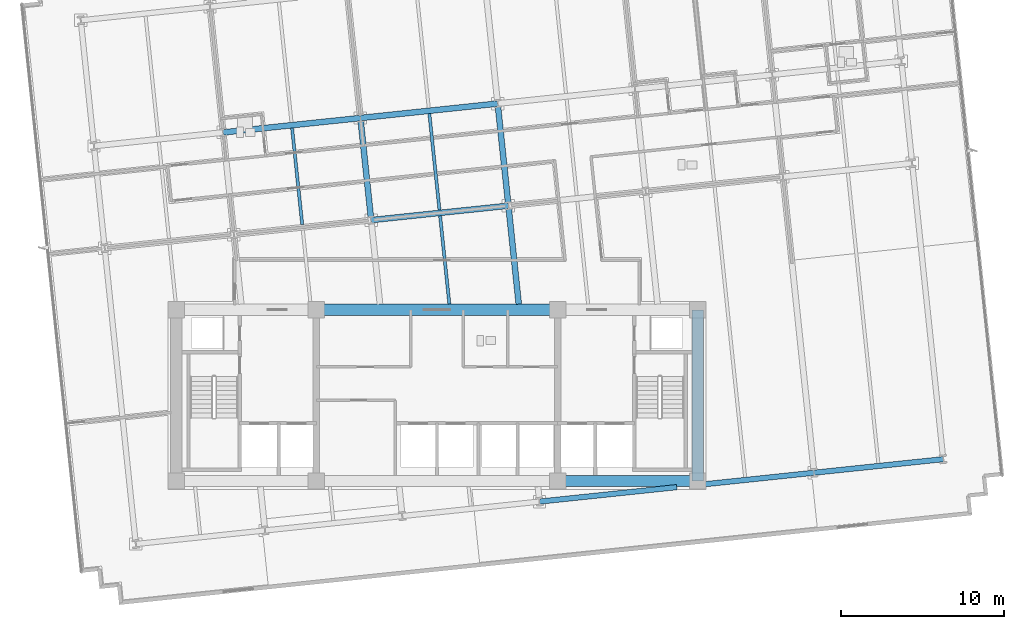
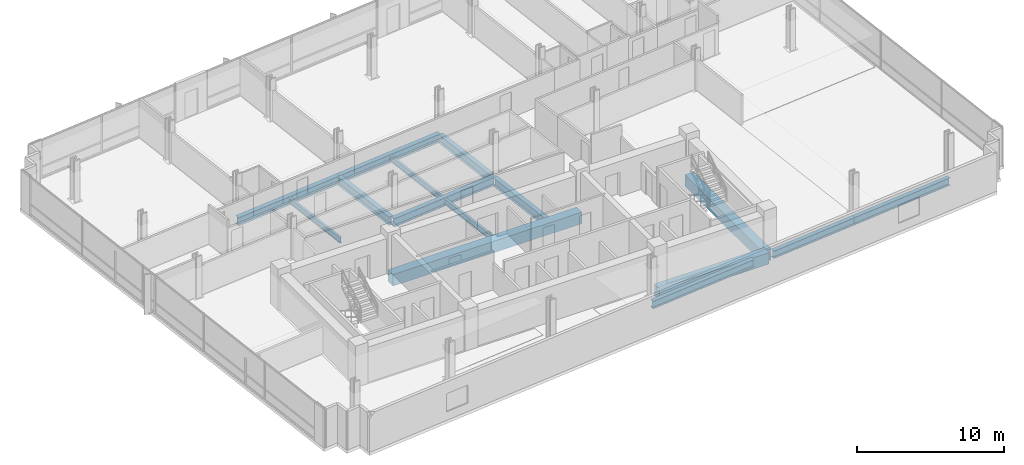
# One storey, part 5 of 20: 15 beams.
"""IFC4 building model written with IfcOpenShell, lengths in metres."""

from ifc_helpers import new_model, si_unit, direction, frame, origin, origin_2d, place, context, subcontext, project, spatial, rectangle, i_section, extrude, material, material_profile, profile_set, type_object, element, save


model = new_model("IFC4")

# Units and contexts
model_context = context("Model", 3, precision=1e-05, world=origin(), true_north=direction((0.0, 1.0)))
body_context = subcontext(model_context, "Body", "Model", "MODEL_VIEW")
ifc_project = project(units=[si_unit("LENGTHUNIT", "METRE"), si_unit("AREAUNIT", "SQUARE_METRE"), si_unit("VOLUMEUNIT", "CUBIC_METRE"), si_unit("PLANEANGLEUNIT", "RADIAN"), si_unit("MASSUNIT", "GRAM", prefix="KILO")], contexts=[model_context])

# Site, building, storey
site_placement = place(None, origin())
site = spatial("IfcSite", under=ifc_project, at=site_placement, CompositionType="ELEMENT")
building_placement = place(site_placement, origin())
building = spatial("IfcBuilding", under=site, at=building_placement, Name="Solmavex Isthmus Hotel", CompositionType="ELEMENT")
storey_placement = place(building_placement, frame((0.0, 0.0, 109.800048828125)))
storey = spatial("IfcBuildingStorey", under=building, at=storey_placement, Name="L29", CompositionType="ELEMENT", Elevation=109.800048828125)

# Beams
ifc_material_1 = material(Name="Steel ASTM A992 Grade 50", Category="steel")
ifc_material_profile_1 = material_profile(ifc_material_1, i_section(OverallWidth=0.354736328125, OverallDepth=0.695556640625, WebThickness=0.015380859375, FlangeThickness=0.02490234375, FilletRadius=0.017822265625, at=origin_2d()), Name="W27X146")
ifc_profile_set_1 = profile_set([ifc_material_profile_1], Name="Steel ASTM A992 Grade 50")
beam_type_1 = type_object("IfcBeamType", Name="BM-BG-W27X146", PredefinedType="BEAM", material=ifc_profile_set_1)
beam_1_placement = place(storey_placement, frame((-4.0390625, 3.003662109375, -0.60791015625), z_axis=(0.994523767887, 0.104510645909, 0.0), x_axis=(-0.104510645909, 0.994523767887, 0.0)))
element("IfcBeam", 1, at=beam_1_placement, inside=storey, type_object=beam_type_1, Name="Floor Girder L29-UG09", PredefinedType="BEAM", context=body_context, shape_type="SweptSolid", body=[
    extrude(i_section(OverallWidth=0.354736328125, OverallDepth=0.695556640625, WebThickness=0.015380859375, FlangeThickness=0.02490234375, FilletRadius=0.017822265625, at=origin_2d()), origin(), (0.0, 0.0, 1.0), 8.4658203125),
])
for number, where, z_axis, x_axis, name in (
    (2, (-13.1171875, 8.382080078125, -0.60791015625), (0.994521085209, 0.104536171134, 0.0), (-0.104536171134, 0.994521085209, 0.0), "Floor Girder L29-UG14"),
    (3, (-4.697509765625, 9.26708984375, -0.60791015625), (0.994521085209, 0.104536171134, 0.0), (-0.104536171134, 0.994521085209, 0.0), "Floor Girder L29-UG15"),
):
    element("IfcBeam", number, at=place(storey_placement, frame(where, z_axis=z_axis, x_axis=x_axis)), inside=storey, type_object=beam_type_1, Name=name, PredefinedType="BEAM", context=body_context, shape_type="SweptSolid", body=[
        extrude(i_section(OverallWidth=0.354736328125, OverallDepth=0.695556640625, WebThickness=0.015380859375, FlangeThickness=0.02490234375, FilletRadius=0.017822265625, at=origin_2d()), origin(), (0.0, 0.0, 1.0), 8.466064453125),
    ])
beam_2_placement = place(storey_placement, frame((-4.0576171875, 3.179931640625, -0.60791015625), z_axis=(-0.104545790518, 0.994520074048, 0.0), x_axis=(-0.994520074048, -0.104545790518, 0.0)))
element("IfcBeam", 4, at=beam_2_placement, inside=storey, type_object=beam_type_1, Name="Floor Beam L29-VG34", PredefinedType="BEAM", context=body_context, shape_type="SweptSolid", body=[
    extrude(i_section(OverallWidth=0.354736328125, OverallDepth=0.695556640625, WebThickness=0.015380859375, FlangeThickness=0.02490234375, FilletRadius=0.017822265625, at=origin_2d()), origin(), (0.0, 0.0, 1.0), 5.943115234375),
])
beam_3_placement = place(storey_placement, frame((5.01513671875, -2.14990234375, -0.60791015625), z_axis=(-0.104542482388, 0.994520421799, 0.0), x_axis=(-0.994520421799, -0.104542482388, 0.0)))
element("IfcBeam", 5, at=beam_3_placement, inside=storey, type_object=beam_type_1, Name="Floor Beam L29-VG37", PredefinedType="BEAM", context=body_context, shape_type="SweptSolid", body=[
    extrude(i_section(OverallWidth=0.354736328125, OverallDepth=0.695556640625, WebThickness=0.015380859375, FlangeThickness=0.02490234375, FilletRadius=0.017822265625, at=origin_2d()), origin(), (0.0, 0.0, 1.0), 5.894287109375),
])
beam_4_placement = place(storey_placement, frame((4.362060546875, 4.06494140625, -0.60791015625), z_axis=(-0.104545790518, 0.994520074048, 0.0), x_axis=(-0.994520074048, -0.104545790518, 0.0)))
element("IfcBeam", 6, at=beam_4_placement, inside=storey, type_object=beam_type_1, Name="Floor Beam L29-VG38", PredefinedType="BEAM", context=body_context, shape_type="SweptSolid", body=[
    extrude(i_section(OverallWidth=0.354736328125, OverallDepth=0.695556640625, WebThickness=0.015380859375, FlangeThickness=0.02490234375, FilletRadius=0.017822265625, at=origin_2d()), origin(), (0.0, 0.0, 1.0), 5.943115234375),
])
ifc_material_profile_2 = material_profile(ifc_material_1, i_section(OverallWidth=0.1904296875, OverallDepth=0.456787109375, WebThickness=0.009033203125, FlangeThickness=0.014404296875, FilletRadius=0.0126953125, at=origin_2d()), Name="W18X50")
ifc_profile_set_2 = profile_set([ifc_material_profile_2], Name="Steel ASTM A992 Grade 50")
beam_type_2 = type_object("IfcBeamType", Name="BM-BJ-W18X50", PredefinedType="JOIST", material=ifc_profile_set_2)
beam_5_placement = place(storey_placement, frame((-8.267578125, 2.737548828125, -0.488525390625), z_axis=(-0.104505160346, 0.994524344328, 0.0), x_axis=(-0.994524344328, -0.104505160346, 0.0)))
element("IfcBeam", 7, at=beam_5_placement, inside=storey, type_object=beam_type_2, Name="Secondary Floor Joist L29-J07", PredefinedType="JOIST", context=body_context, shape_type="SweptSolid", body=[
    extrude(i_section(OverallWidth=0.1904296875, OverallDepth=0.456787109375, WebThickness=0.009033203125, FlangeThickness=0.014404296875, FilletRadius=0.0126953125, at=origin_2d()), origin(), (0.0, 0.0, 1.0), 5.943115234375),
])
beam_6_placement = place(storey_placement, frame((0.7587890625, -2.14990234375, -0.488525390625), z_axis=(-0.104523862956, 0.99452237887, 0.0), x_axis=(-0.99452237887, -0.104523862956, 0.0)))
element("IfcBeam", 8, at=beam_6_placement, inside=storey, type_object=beam_type_2, Name="Secondary Floor Joist L29-J10", PredefinedType="JOIST", context=body_context, shape_type="SweptSolid", body=[
    extrude(i_section(OverallWidth=0.1904296875, OverallDepth=0.456787109375, WebThickness=0.009033203125, FlangeThickness=0.014404296875, FilletRadius=0.0126953125, at=origin_2d()), origin(), (0.0, 0.0, 1.0), 5.44921875),
])
beam_7_placement = place(storey_placement, frame((0.152099609375, 3.62255859375, -0.488525390625), z_axis=(-0.104505160346, 0.994524344328, 0.0), x_axis=(-0.994524344328, -0.104505160346, 0.0)))
element("IfcBeam", 9, at=beam_7_placement, inside=storey, type_object=beam_type_2, Name="Secondary Floor Joist L29-J11", PredefinedType="JOIST", context=body_context, shape_type="SweptSolid", body=[
    extrude(i_section(OverallWidth=0.1904296875, OverallDepth=0.456787109375, WebThickness=0.009033203125, FlangeThickness=0.014404296875, FilletRadius=0.0126953125, at=origin_2d()), origin(), (0.0, 0.0, 1.0), 5.943115234375),
])
ifc_material_2 = material(Name="Concrete C60/75", Category="concrete")
ifc_material_profile_3 = material_profile(ifc_material_2, rectangle(XDim=0.699951171875, YDim=0.949951171875, at=origin_2d()), Name="RC700X950")
ifc_profile_set_3 = profile_set([ifc_material_profile_3], Name="Concrete C60/75")
beam_type_3 = type_object("IfcBeamType", Name="BM-CB-700X950", PredefinedType="BEAM", material=ifc_profile_set_3)
beam_8_placement = place(storey_placement, frame((7.39990234375, -13.0, -0.735107421875), z_axis=(1.0, 0.0, 0.0), x_axis=(0.0, 1.0, 0.0)))
element("IfcBeam", 10, at=beam_8_placement, inside=storey, type_object=beam_type_3, Name="Core Coupling Beam L29-CB3", PredefinedType="BEAM", context=body_context, shape_type="SweptSolid", body=[
    extrude(rectangle(XDim=0.699951171875, YDim=0.949951171875, at=origin_2d()), origin(), (0.0, 0.0, 1.0), 8.60009765625),
])
beam_9_placement = place(storey_placement, frame((-7.39990234375, -2.5, -0.735107421875), z_axis=(1.0, 0.0, 0.0), x_axis=(0.0, 1.0, 0.0)))
element("IfcBeam", 11, at=beam_9_placement, inside=storey, type_object=beam_type_3, Name="Core Coupling Beam L29-CB5", PredefinedType="BEAM", context=body_context, shape_type="SweptSolid", body=[
    extrude(rectangle(XDim=0.699951171875, YDim=0.949951171875, at=origin_2d()), origin(), (0.0, 0.0, 1.0), 14.7998046875),
])
beam_10_placement = place(storey_placement, frame((16.0, -13.0, -0.735107421875), z_axis=(0.0, 1.0, 0.0), x_axis=(-1.0, 0.0, 0.0)))
element("IfcBeam", 12, at=beam_10_placement, inside=storey, type_object=beam_type_3, Name="Core Coupling Beam L29-CB8", PredefinedType="BEAM", context=body_context, shape_type="SweptSolid", body=[
    extrude(rectangle(XDim=0.699951171875, YDim=0.949951171875, at=origin_2d()), origin(), (0.0, 0.0, 1.0), 10.5),
])
ifc_material_profile_4 = material_profile(ifc_material_1, i_section(OverallWidth=0.326416015625, OverallDepth=0.621826171875, WebThickness=0.015380859375, FlangeThickness=0.0244140625, FilletRadius=0.01513671875, at=origin_2d()), Name="W24X131")
ifc_profile_set_4 = profile_set([ifc_material_profile_4], Name="Steel ASTM A992 Grade 50")
beam_type_4 = type_object("IfcBeamType", Name="BM-SP-W24X131", PredefinedType="SPANDREL", material=ifc_profile_set_4)
beam_11_placement = place(storey_placement, frame((6.2880859375, -14.261474609375, -0.571044921875), z_axis=(0.994524082861, 0.104507648572, 0.0), x_axis=(-0.104507648572, 0.994524082861, 0.0)))
element("IfcBeam", 13, at=beam_11_placement, inside=storey, type_object=beam_type_4, Name="Floor Girder L29-UG04", PredefinedType="SPANDREL", context=body_context, shape_type="SweptSolid", body=[
    extrude(i_section(OverallWidth=0.326416015625, OverallDepth=0.621826171875, WebThickness=0.015380859375, FlangeThickness=0.0244140625, FilletRadius=0.01513671875, at=origin_2d()), origin(), (0.0, 0.0, 1.0), 8.466064453125),
])
beam_12_placement = place(storey_placement, frame((16.35009765625, -13.2041015625, -0.571044921875), z_axis=(0.994520754079, 0.10453932134, 0.0), x_axis=(-0.10453932134, 0.994520754079, 0.0)))
element("IfcBeam", 14, at=beam_12_placement, inside=storey, type_object=beam_type_4, Name="Floor Girder L29-UG05", PredefinedType="SPANDREL", context=body_context, shape_type="SweptSolid", body=[
    extrude(i_section(OverallWidth=0.326416015625, OverallDepth=0.621826171875, WebThickness=0.015380859375, FlangeThickness=0.0244140625, FilletRadius=0.01513671875, at=origin_2d()), origin(), (0.0, 0.0, 1.0), 6.814697265625),
])
beam_13_placement = place(storey_placement, frame((23.12744140625, -12.49169921875, -0.571044921875), z_axis=(0.994520217478, 0.10454442609, 0.0), x_axis=(-0.10454442609, 0.994520217478, 0.0)))
element("IfcBeam", 15, at=beam_13_placement, inside=storey, type_object=beam_type_4, Name="Floor Girder L29-UG06", PredefinedType="SPANDREL", context=body_context, shape_type="SweptSolid", body=[
    extrude(i_section(OverallWidth=0.326416015625, OverallDepth=0.621826171875, WebThickness=0.015380859375, FlangeThickness=0.0244140625, FilletRadius=0.01513671875, at=origin_2d()), origin(), (0.0, 0.0, 1.0), 7.968017578125),
])

save(model, "model.ifc")
